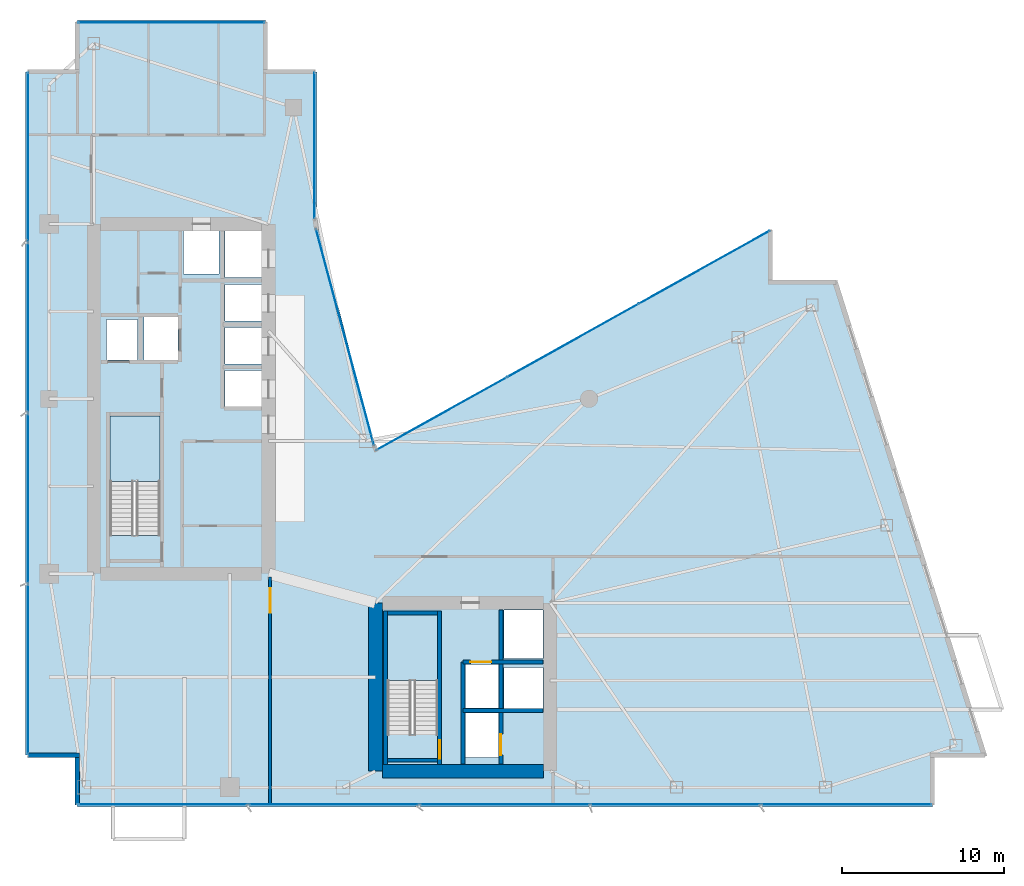
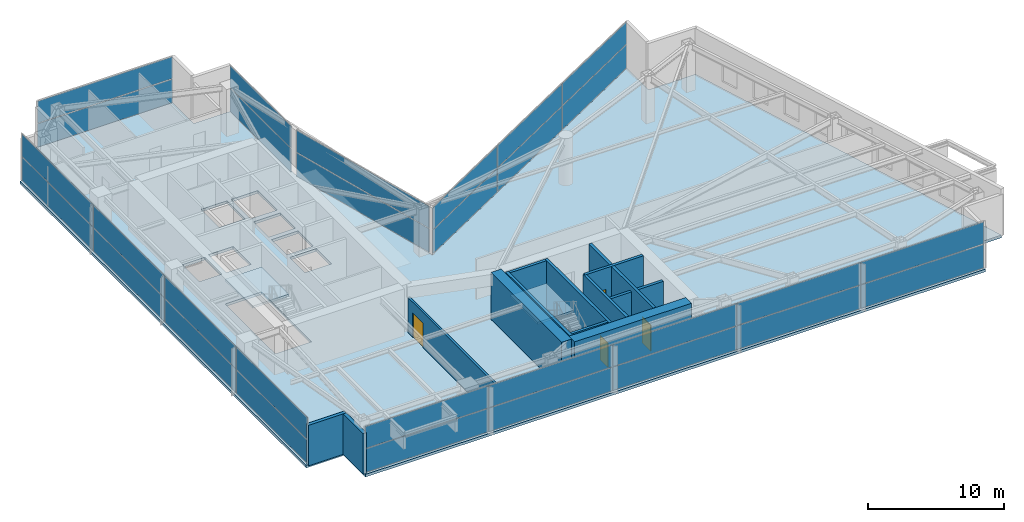
# One storey, part 20 of 26: 30 plates, 13 walls, 4 doors, 3 slabs, 4 openings, 8 elements without a shape of their own.
"""IFC4 building model written with IfcOpenShell, lengths in metres."""

from ifc_helpers import new_model, si_unit, direction, frame, frame_2d, origin, origin_2d, place, context, subcontext, project, spatial, polyline, rectangle, outline, extrude, material, layer, layer_set, type_object, element, fill, aggregate, save


model = new_model("IFC4")

# Units and contexts
model_context = context("Model", 3, precision=1e-05, world=origin(), true_north=direction((0.0, 1.0)))
body_context = subcontext(model_context, "Body", "Model", "MODEL_VIEW")
ifc_project = project(units=[si_unit("LENGTHUNIT", "METRE"), si_unit("AREAUNIT", "SQUARE_METRE"), si_unit("VOLUMEUNIT", "CUBIC_METRE"), si_unit("PLANEANGLEUNIT", "RADIAN"), si_unit("MASSUNIT", "GRAM", prefix="KILO")], contexts=[model_context])

# Site, building, storey
site_placement = place(None, origin())
site = spatial("IfcSite", under=ifc_project, at=site_placement, CompositionType="ELEMENT")
building_placement = place(site_placement, origin())
building = spatial("IfcBuilding", under=site, at=building_placement, Name="Calvorn Quay Hotel", CompositionType="ELEMENT")
storey_placement = place(building_placement, frame((0.0, 0.0, 144.0)))
storey = spatial("IfcBuildingStorey", under=building, at=storey_placement, Name="L35", CompositionType="ELEMENT", Elevation=144.0)

# Curtain wall, plates
ifc_material_1 = material(Name="Pale Anodised Aluminium and Low-E Glass", Category="aluminium")
ifc_layer_1 = layer(ifc_material_1, 0.219970703125)
ifc_layer_set_1 = layer_set([ifc_layer_1], Name="CW-SYS-Z2")
curtain_wall_type = type_object("IfcCurtainWallType", Name="CW-SYS-Z2", PredefinedType="NOTDEFINED", material=ifc_layer_set_1)
curtain_wall_1_placement = place(storey_placement, origin())
curtain_wall_1 = element("IfcCurtainWall", 1, at=curtain_wall_1_placement, inside=storey, type_object=curtain_wall_type, Name="Tower West Curtain Wall (L35)", PredefinedType="NOTDEFINED")
ifc_material_2 = material(Name="Low-E Laminated Double Glazing", Category="glass")
ifc_layer_2 = layer(ifc_material_2, 0.028076171875)
ifc_layer_set_2 = layer_set([ifc_layer_2], Name="CW-SYS-Z2-PAN")
plate_type = type_object("IfcPlateType", Name="CW-SYS-Z2-PAN", PredefinedType="CURTAIN_PANEL", material=ifc_layer_set_2)
plate_1_placement = place(storey_placement, frame((0.14990234375, 10.889892578125, 0.06005859375), z_axis=(0.0, 0.0, 1.0), x_axis=(0.0, 1.0, 0.0)))
plate_1 = element("IfcPlate", 2, at=plate_1_placement, type_object=plate_type, Name="CW-L35-W panel 1.1", PredefinedType="CURTAIN_PANEL", context=body_context, shape_type="SweptSolid", body=[
    extrude(rectangle(XDim=10.4599609375, YDim=0.028076171875, at=origin_2d()), origin(), (0.0, 0.0, 1.0), 2.110107421875),
])
plate_2_placement = place(storey_placement, frame((0.14990234375, 10.889892578125, 2.22998046875), z_axis=(0.0, 0.0, 1.0), x_axis=(0.0, 1.0, 0.0)))
plate_2 = element("IfcPlate", 3, at=plate_2_placement, type_object=plate_type, Name="CW-L35-W panel 1.2", PredefinedType="CURTAIN_PANEL", context=body_context, shape_type="SweptSolid", body=[
    extrude(rectangle(XDim=10.4599609375, YDim=0.028076171875, at=origin_2d()), origin(), (0.0, 0.0, 1.0), 1.969970703125),
])
plate_3_placement = place(storey_placement, frame((0.14990234375, 21.425048828125, 0.06005859375), z_axis=(0.0, 0.0, 1.0), x_axis=(0.0, 1.0, 0.0)))
plate_3 = element("IfcPlate", 4, at=plate_3_placement, type_object=plate_type, Name="CW-L35-W panel 2.1", PredefinedType="CURTAIN_PANEL", context=body_context, shape_type="SweptSolid", body=[
    extrude(rectangle(XDim=10.489990234375, YDim=0.028076171875, at=origin_2d()), origin(), (0.0, 0.0, 1.0), 2.110107421875),
])
plate_4_placement = place(storey_placement, frame((0.14990234375, 21.425048828125, 2.22998046875), z_axis=(0.0, 0.0, 1.0), x_axis=(0.0, 1.0, 0.0)))
plate_4 = element("IfcPlate", 5, at=plate_4_placement, type_object=plate_type, Name="CW-L35-W panel 2.2", PredefinedType="CURTAIN_PANEL", context=body_context, shape_type="SweptSolid", body=[
    extrude(rectangle(XDim=10.489990234375, YDim=0.028076171875, at=origin_2d()), origin(), (0.0, 0.0, 1.0), 1.969970703125),
])
plate_5_placement = place(storey_placement, frame((0.14990234375, 31.97509765625, 0.06005859375), z_axis=(0.0, 0.0, 1.0), x_axis=(0.0, 1.0, 0.0)))
plate_5 = element("IfcPlate", 6, at=plate_5_placement, type_object=plate_type, Name="CW-L35-W panel 3.1", PredefinedType="CURTAIN_PANEL", context=body_context, shape_type="SweptSolid", body=[
    extrude(rectangle(XDim=10.489990234375, YDim=0.028076171875, at=origin_2d()), origin(), (0.0, 0.0, 1.0), 2.110107421875),
])
plate_6_placement = place(storey_placement, frame((0.14990234375, 31.97509765625, 2.22998046875), z_axis=(0.0, 0.0, 1.0), x_axis=(0.0, 1.0, 0.0)))
plate_6 = element("IfcPlate", 7, at=plate_6_placement, type_object=plate_type, Name="CW-L35-W panel 3.2", PredefinedType="CURTAIN_PANEL", context=body_context, shape_type="SweptSolid", body=[
    extrude(rectangle(XDim=10.489990234375, YDim=0.028076171875, at=origin_2d()), origin(), (0.0, 0.0, 1.0), 1.969970703125),
])
plate_7_placement = place(storey_placement, frame((0.14990234375, 42.510009765625, 0.06005859375), z_axis=(0.0, 0.0, 1.0), x_axis=(0.0, 1.0, 0.0)))
plate_7 = element("IfcPlate", 8, at=plate_7_placement, type_object=plate_type, Name="CW-L35-W panel 4.1", PredefinedType="CURTAIN_PANEL", context=body_context, shape_type="SweptSolid", body=[
    extrude(rectangle(XDim=10.4599609375, YDim=0.028076171875, at=origin_2d()), origin(), (0.0, 0.0, 1.0), 2.110107421875),
])
plate_8_placement = place(storey_placement, frame((0.14990234375, 42.510009765625, 2.22998046875), z_axis=(0.0, 0.0, 1.0), x_axis=(0.0, 1.0, 0.0)))
plate_8 = element("IfcPlate", 9, at=plate_8_placement, type_object=plate_type, Name="CW-L35-W panel 4.2", PredefinedType="CURTAIN_PANEL", context=body_context, shape_type="SweptSolid", body=[
    extrude(rectangle(XDim=10.4599609375, YDim=0.028076171875, at=origin_2d()), origin(), (0.0, 0.0, 1.0), 1.969970703125),
])
aggregate(curtain_wall_1, [plate_1, plate_2, plate_3, plate_4, plate_5, plate_6, plate_7, plate_8])

curtain_wall_2_placement = place(storey_placement, origin())
curtain_wall_2 = element("IfcCurtainWall", 10, at=curtain_wall_2_placement, inside=storey, type_object=curtain_wall_type, Name="Tower South Waterfront Curtain Wall (L35)", PredefinedType="NOTDEFINED")
plate_9_placement = place(storey_placement, frame((8.4951171875, 2.550048828125, 0.06005859375), z_axis=(0.0, 0.0, 1.0), x_axis=(1.0, 0.0, 0.0)))
plate_9 = element("IfcPlate", 11, at=plate_9_placement, type_object=plate_type, Name="CW-L35-S panel 1.1", PredefinedType="CURTAIN_PANEL", context=body_context, shape_type="SweptSolid", body=[
    extrude(rectangle(XDim=10.469970703125, YDim=0.028076171875, at=origin_2d()), origin(), (0.0, 0.0, 1.0), 2.110107421875),
])
plate_10_placement = place(storey_placement, frame((8.4951171875, 2.550048828125, 2.22998046875), z_axis=(0.0, 0.0, 1.0), x_axis=(1.0, 0.0, 0.0)))
plate_10 = element("IfcPlate", 12, at=plate_10_placement, type_object=plate_type, Name="CW-L35-S panel 1.2", PredefinedType="CURTAIN_PANEL", context=body_context, shape_type="SweptSolid", body=[
    extrude(rectangle(XDim=10.469970703125, YDim=0.028076171875, at=origin_2d()), origin(), (0.0, 0.0, 1.0), 1.969970703125),
])
plate_11_placement = place(storey_placement, frame((19.0400390625, 2.550048828125, 0.06005859375), z_axis=(0.0, 0.0, 1.0), x_axis=(1.0, 0.0, 0.0)))
plate_11 = element("IfcPlate", 13, at=plate_11_placement, type_object=plate_type, Name="CW-L35-S panel 2.1", PredefinedType="CURTAIN_PANEL", context=body_context, shape_type="SweptSolid", body=[
    extrude(rectangle(XDim=10.5, YDim=0.028076171875, at=origin_2d()), origin(), (0.0, 0.0, 1.0), 2.110107421875),
])
plate_12_placement = place(storey_placement, frame((19.0400390625, 2.550048828125, 2.22998046875), z_axis=(0.0, 0.0, 1.0), x_axis=(1.0, 0.0, 0.0)))
plate_12 = element("IfcPlate", 14, at=plate_12_placement, type_object=plate_type, Name="CW-L35-S panel 2.2", PredefinedType="CURTAIN_PANEL", context=body_context, shape_type="SweptSolid", body=[
    extrude(rectangle(XDim=10.5, YDim=0.028076171875, at=origin_2d()), origin(), (0.0, 0.0, 1.0), 1.969970703125),
])
plate_13_placement = place(storey_placement, frame((29.60009765625, 2.550048828125, 0.06005859375), z_axis=(0.0, 0.0, 1.0), x_axis=(1.0, 0.0, 0.0)))
plate_13 = element("IfcPlate", 15, at=plate_13_placement, type_object=plate_type, Name="CW-L35-S panel 3.1", PredefinedType="CURTAIN_PANEL", context=body_context, shape_type="SweptSolid", body=[
    extrude(rectangle(XDim=10.5, YDim=0.028076171875, at=origin_2d()), origin(), (0.0, 0.0, 1.0), 2.110107421875),
])
plate_14_placement = place(storey_placement, frame((29.60009765625, 2.550048828125, 2.22998046875), z_axis=(0.0, 0.0, 1.0), x_axis=(1.0, 0.0, 0.0)))
plate_14 = element("IfcPlate", 16, at=plate_14_placement, type_object=plate_type, Name="CW-L35-S panel 3.2", PredefinedType="CURTAIN_PANEL", context=body_context, shape_type="SweptSolid", body=[
    extrude(rectangle(XDim=10.5, YDim=0.028076171875, at=origin_2d()), origin(), (0.0, 0.0, 1.0), 1.969970703125),
])
plate_15_placement = place(storey_placement, frame((40.159912109375, 2.550048828125, 0.06005859375), z_axis=(0.0, 0.0, 1.0), x_axis=(1.0, 0.0, 0.0)))
plate_15 = element("IfcPlate", 17, at=plate_15_placement, type_object=plate_type, Name="CW-L35-S panel 4.1", PredefinedType="CURTAIN_PANEL", context=body_context, shape_type="SweptSolid", body=[
    extrude(rectangle(XDim=10.5, YDim=0.028076171875, at=origin_2d()), origin(), (0.0, 0.0, 1.0), 2.110107421875),
])
plate_16_placement = place(storey_placement, frame((40.159912109375, 2.550048828125, 2.22998046875), z_axis=(0.0, 0.0, 1.0), x_axis=(1.0, 0.0, 0.0)))
plate_16 = element("IfcPlate", 18, at=plate_16_placement, type_object=plate_type, Name="CW-L35-S panel 4.2", PredefinedType="CURTAIN_PANEL", context=body_context, shape_type="SweptSolid", body=[
    extrude(rectangle(XDim=10.5, YDim=0.028076171875, at=origin_2d()), origin(), (0.0, 0.0, 1.0), 1.969970703125),
])
plate_17_placement = place(storey_placement, frame((50.705078125, 2.550048828125, 0.06005859375), z_axis=(0.0, 0.0, 1.0), x_axis=(1.0, 0.0, 0.0)))
plate_17 = element("IfcPlate", 19, at=plate_17_placement, type_object=plate_type, Name="CW-L35-S panel 5.1", PredefinedType="CURTAIN_PANEL", context=body_context, shape_type="SweptSolid", body=[
    extrude(rectangle(XDim=10.469970703125, YDim=0.028076171875, at=origin_2d()), origin(), (0.0, 0.0, 1.0), 2.110107421875),
])
plate_18_placement = place(storey_placement, frame((50.705078125, 2.550048828125, 2.22998046875), z_axis=(0.0, 0.0, 1.0), x_axis=(1.0, 0.0, 0.0)))
plate_18 = element("IfcPlate", 20, at=plate_18_placement, type_object=plate_type, Name="CW-L35-S panel 5.2", PredefinedType="CURTAIN_PANEL", context=body_context, shape_type="SweptSolid", body=[
    extrude(rectangle(XDim=10.469970703125, YDim=0.028076171875, at=origin_2d()), origin(), (0.0, 0.0, 1.0), 1.969970703125),
])
aggregate(curtain_wall_2, [plate_9, plate_10, plate_11, plate_12, plate_13, plate_14, plate_15, plate_16, plate_17, plate_18])

curtain_wall_3_placement = place(storey_placement, origin())
curtain_wall_3 = element("IfcCurtainWall", 21, at=curtain_wall_3_placement, inside=storey, type_object=curtain_wall_type, Name="Inner Court Curtain Wall L35-NE1", PredefinedType="NOTDEFINED")
plate_19_placement = place(storey_placement, frame((41.920166015625, 35.72607421875, 0.06005859375), z_axis=(0.0, 0.0, 1.0), x_axis=(-0.873480989116, -0.486858256224, 0.0)))
plate_19 = element("IfcPlate", 22, at=plate_19_placement, type_object=plate_type, Name="CW-L35-NE1 panel 1.1", PredefinedType="CURTAIN_PANEL", context=body_context, shape_type="SweptSolid", body=[
    extrude(rectangle(XDim=9.221435546875, YDim=0.028076171875, at=origin_2d()), origin(), (0.0, 0.0, 1.0), 2.110107421875),
])
plate_20_placement = place(storey_placement, frame((41.920166015625, 35.72607421875, 2.22998046875), z_axis=(0.0, 0.0, 1.0), x_axis=(-0.873480989116, -0.486858256224, 0.0)))
plate_20 = element("IfcPlate", 23, at=plate_20_placement, type_object=plate_type, Name="CW-L35-NE1 panel 1.2", PredefinedType="CURTAIN_PANEL", context=body_context, shape_type="SweptSolid", body=[
    extrude(rectangle(XDim=9.221435546875, YDim=0.028076171875, at=origin_2d()), origin(), (0.0, 0.0, 1.0), 1.969970703125),
])
plate_21_placement = place(storey_placement, frame((33.800048828125, 31.199951171875, 0.06005859375), z_axis=(0.0, 0.0, 1.0), x_axis=(-0.873480989116, -0.486858256224, 0.0)))
plate_21 = element("IfcPlate", 24, at=plate_21_placement, type_object=plate_type, Name="CW-L35-NE1 panel 2.1", PredefinedType="CURTAIN_PANEL", context=body_context, shape_type="SweptSolid", body=[
    extrude(rectangle(XDim=9.25146484375, YDim=0.028076171875, at=origin_2d()), origin(), (0.0, 0.0, 1.0), 2.110107421875),
])
plate_22_placement = place(storey_placement, frame((33.800048828125, 31.199951171875, 2.22998046875), z_axis=(0.0, 0.0, 1.0), x_axis=(-0.873480989116, -0.486858256224, 0.0)))
plate_22 = element("IfcPlate", 25, at=plate_22_placement, type_object=plate_type, Name="CW-L35-NE1 panel 2.2", PredefinedType="CURTAIN_PANEL", context=body_context, shape_type="SweptSolid", body=[
    extrude(rectangle(XDim=9.25146484375, YDim=0.028076171875, at=origin_2d()), origin(), (0.0, 0.0, 1.0), 1.969970703125),
])
plate_23_placement = place(storey_placement, frame((25.6796875, 26.674072265625, 0.06005859375), z_axis=(0.0, 0.0, 1.0), x_axis=(-0.873480989116, -0.486858256224, 0.0)))
plate_23 = element("IfcPlate", 26, at=plate_23_placement, type_object=plate_type, Name="CW-L35-NE1 panel 3.1", PredefinedType="CURTAIN_PANEL", context=body_context, shape_type="SweptSolid", body=[
    extrude(rectangle(XDim=9.221435546875, YDim=0.028076171875, at=origin_2d()), origin(), (0.0, 0.0, 1.0), 2.110107421875),
])
plate_24_placement = place(storey_placement, frame((25.6796875, 26.674072265625, 2.22998046875), z_axis=(0.0, 0.0, 1.0), x_axis=(-0.873480989116, -0.486858256224, 0.0)))
plate_24 = element("IfcPlate", 27, at=plate_24_placement, type_object=plate_type, Name="CW-L35-NE1 panel 3.2", PredefinedType="CURTAIN_PANEL", context=body_context, shape_type="SweptSolid", body=[
    extrude(rectangle(XDim=9.221435546875, YDim=0.028076171875, at=origin_2d()), origin(), (0.0, 0.0, 1.0), 1.969970703125),
])
aggregate(curtain_wall_3, [plate_19, plate_20, plate_21, plate_22, plate_23, plate_24])

curtain_wall_4_placement = place(storey_placement, origin())
curtain_wall_4 = element("IfcCurtainWall", 28, at=curtain_wall_4_placement, inside=storey, type_object=curtain_wall_type, Name="Inner Court Curtain Wall L35-IC1", PredefinedType="NOTDEFINED")
plate_25_placement = place(storey_placement, frame((19.72509765625, 31.39990234375, 0.06005859375), z_axis=(0.0, 0.0, 1.0), x_axis=(-0.25877913024, 0.96593652056, 0.0)))
plate_25 = element("IfcPlate", 29, at=plate_25_placement, type_object=plate_type, Name="CW-L35-IC1 panel 1.1", PredefinedType="CURTAIN_PANEL", context=body_context, shape_type="SweptSolid", body=[
    extrude(rectangle(XDim=13.814697265625, YDim=0.028076171875, at=origin_2d()), origin(), (0.0, 0.0, 1.0), 2.110107421875),
])
plate_26_placement = place(storey_placement, frame((19.72509765625, 31.39990234375, 2.22998046875), z_axis=(0.0, 0.0, 1.0), x_axis=(-0.25877913024, 0.96593652056, 0.0)))
plate_26 = element("IfcPlate", 30, at=plate_26_placement, type_object=plate_type, Name="CW-L35-IC1 panel 1.2", PredefinedType="CURTAIN_PANEL", context=body_context, shape_type="SweptSolid", body=[
    extrude(rectangle(XDim=13.814697265625, YDim=0.028076171875, at=origin_2d()), origin(), (0.0, 0.0, 1.0), 1.969970703125),
])
aggregate(curtain_wall_4, [plate_25, plate_26])

curtain_wall_5_placement = place(storey_placement, origin())
curtain_wall_5 = element("IfcCurtainWall", 31, at=curtain_wall_5_placement, inside=storey, type_object=curtain_wall_type, Name="Inner Court Curtain Wall L35-IC2", PredefinedType="NOTDEFINED")
plate_27_placement = place(storey_placement, frame((17.85009765625, 43.239990234375, 0.06005859375), z_axis=(0.0, 0.0, 1.0), x_axis=(0.0, 1.0, 0.0)))
plate_27 = element("IfcPlate", 32, at=plate_27_placement, type_object=plate_type, Name="CW-L35-IC2 panel 1.1", PredefinedType="CURTAIN_PANEL", context=body_context, shape_type="SweptSolid", body=[
    extrude(rectangle(XDim=9.0, YDim=0.028076171875, at=origin_2d()), origin(), (0.0, 0.0, 1.0), 2.110107421875),
])
plate_28_placement = place(storey_placement, frame((17.85009765625, 43.239990234375, 2.22998046875), z_axis=(0.0, 0.0, 1.0), x_axis=(0.0, 1.0, 0.0)))
plate_28 = element("IfcPlate", 33, at=plate_28_placement, type_object=plate_type, Name="CW-L35-IC2 panel 1.2", PredefinedType="CURTAIN_PANEL", context=body_context, shape_type="SweptSolid", body=[
    extrude(rectangle(XDim=9.0, YDim=0.028076171875, at=origin_2d()), origin(), (0.0, 0.0, 1.0), 1.969970703125),
])
aggregate(curtain_wall_5, [plate_27, plate_28])

curtain_wall_6_placement = place(storey_placement, origin())
curtain_wall_6 = element("IfcCurtainWall", 34, at=curtain_wall_6_placement, inside=storey, type_object=curtain_wall_type, Name="Inner Court Curtain Wall L35-N1", PredefinedType="NOTDEFINED")
plate_29_placement = place(storey_placement, frame((9.0, 50.85009765625, 0.06005859375), z_axis=(0.0, 0.0, 1.0), x_axis=(-1.0, 0.0, 0.0)))
plate_29 = element("IfcPlate", 35, at=plate_29_placement, type_object=plate_type, Name="CW-L35-N1 panel 1.1", PredefinedType="CURTAIN_PANEL", context=body_context, shape_type="SweptSolid", body=[
    extrude(rectangle(XDim=11.47998046875, YDim=0.028076171875, at=origin_2d()), origin(), (0.0, 0.0, 1.0), 2.110107421875),
])
plate_30_placement = place(storey_placement, frame((9.0, 50.85009765625, 2.22998046875), z_axis=(0.0, 0.0, 1.0), x_axis=(-1.0, 0.0, 0.0)))
plate_30 = element("IfcPlate", 36, at=plate_30_placement, type_object=plate_type, Name="CW-L35-N1 panel 1.2", PredefinedType="CURTAIN_PANEL", context=body_context, shape_type="SweptSolid", body=[
    extrude(rectangle(XDim=11.47998046875, YDim=0.028076171875, at=origin_2d()), origin(), (0.0, 0.0, 1.0), 1.969970703125),
])
aggregate(curtain_wall_6, [plate_29, plate_30])

# Stair, slab
ifc_material_3 = material(Name="Concrete C40", Category="concrete")
stair_type = type_object("IfcStairType", Name="STR-CORE-DOGLEG", PredefinedType="HALF_TURN_STAIR", material=ifc_material_3)
stair_1_placement = place(storey_placement, origin())
stair_1 = element("IfcStair", 37, at=stair_1_placement, inside=storey, type_object=stair_type, Name="L35 ST-W", PredefinedType="HALF_TURN_STAIR")
ifc_material_4 = material(Name="Concrete C40", Category="concrete")
ifc_layer_3 = layer(ifc_material_4, 0.199951171875)
ifc_layer_set_3 = layer_set([ifc_layer_3], Name="SLB-STAIR-LANDING-200")
slab_type_1 = type_object("IfcSlabType", Name="SLB-STAIR-LANDING-200", PredefinedType="LANDING", material=ifc_layer_set_3)
slab_1_placement = place(storey_placement, frame((0.0, 0.0, 2.050048828125)))
slab_1 = element("IfcSlab", 38, at=slab_1_placement, type_object=slab_type_1, Name="ST-W landing 1", PredefinedType="LANDING", context=body_context, shape_type="SweptSolid", body=[
    extrude(outline(polyline([(8.300048828125, 22.510009765625), (8.300048828125, 26.550048828125), (5.199951171875, 26.550048828125), (5.199951171875, 22.510009765625), (8.300048828125, 22.510009765625)])), origin(), (0.0, 0.0, 1.0), 0.199951171875),
])
aggregate(stair_1, [slab_1])

stair_2_placement = place(storey_placement, origin())
stair_2 = element("IfcStair", 39, at=stair_2_placement, inside=storey, type_object=stair_type, Name="L35 ST-E", PredefinedType="HALF_TURN_STAIR")
slab_2_placement = place(storey_placement, frame((0.0, 0.0, 2.050048828125)))
slab_2 = element("IfcSlab", 40, at=slab_2_placement, type_object=slab_type_1, Name="ST-E landing 1", PredefinedType="LANDING", context=body_context, shape_type="SweptSolid", body=[
    extrude(outline(polyline([(25.449951171875, 10.2099609375), (25.449951171875, 14.25), (22.35009765625, 14.25), (22.35009765625, 10.2099609375), (25.449951171875, 10.2099609375)])), origin(), (0.0, 0.0, 1.0), 0.199951171875),
])
aggregate(stair_2, [slab_2])

# Slab
ifc_material_5 = material(Name="Concrete C40", Category="concrete")
ifc_layer_4 = layer(ifc_material_5, 0.239990234375)
ifc_layer_set_4 = layer_set([ifc_layer_4], Name="SLB-TOWER-240")
slab_type_2 = type_object("IfcSlabType", Name="SLB-TOWER-240", PredefinedType="FLOOR", material=ifc_layer_set_4)
slab_3_placement = place(storey_placement, frame((0.0, 0.0, -0.239990234375)))
element("IfcSlab", 41, at=slab_3_placement, inside=storey, type_object=slab_type_2, Name="L35 Structural Floor Slab", PredefinedType="FLOOR", context=body_context, shape_type="SweptSolid", body=[
    extrude(outline(polyline([(0.0, 5.60009765625), (3.199951171875, 5.60009765625), (3.199951171875, 2.39990234375), (56.0, 2.39990234375), (56.0, 5.60009765625), (59.199951171875, 5.60009765625), (50.0, 34.800048828125), (46.0, 34.800048828125), (46.0, 38.0), (21.60009765625, 24.39990234375), (18.0, 38.39990234375), (18.0, 47.800048828125), (14.800048828125, 47.800048828125), (14.800048828125, 51.0), (3.199951171875, 51.0), (3.199951171875, 47.800048828125), (0.0, 47.800048828125), (0.0, 5.60009765625)]), holes=[polyline([(5.199951171875, 19.156005859375), (8.300048828125, 19.156005859375), (8.300048828125, 26.550048828125), (5.199951171875, 26.550048828125), (5.199951171875, 19.156005859375)]), polyline([(22.35009765625, 6.85595703125), (25.449951171875, 6.85595703125), (25.449951171875, 14.25), (22.35009765625, 14.25), (22.35009765625, 6.85595703125)]), polyline([(5.0, 30.0), (6.89990234375, 30.0), (6.89990234375, 32.5), (5.0, 32.5), (5.0, 30.0)]), polyline([(7.300048828125, 30.0), (9.39990234375, 30.0), (9.39990234375, 32.64990234375), (7.300048828125, 32.64990234375), (7.300048828125, 30.0)]), polyline([(27.159912109375, 8.5), (29.2099609375, 8.5), (29.2099609375, 11.199951171875), (27.159912109375, 11.199951171875), (27.159912109375, 8.5)]), polyline([(27.159912109375, 5.449951171875), (29.2099609375, 5.449951171875), (29.2099609375, 8.199951171875), (27.159912109375, 8.199951171875), (27.159912109375, 5.449951171875)]), polyline([(12.300048828125, 27.10009765625), (14.56494140625, 27.10009765625), (14.56494140625, 29.35009765625), (12.300048828125, 29.35009765625), (12.300048828125, 27.10009765625)]), polyline([(12.300048828125, 29.75), (14.56494140625, 29.75), (14.56494140625, 32.0), (12.300048828125, 32.0), (12.300048828125, 29.75)]), polyline([(12.300048828125, 32.39990234375), (14.56494140625, 32.39990234375), (14.56494140625, 34.64990234375), (12.300048828125, 34.64990234375), (12.300048828125, 32.39990234375)]), polyline([(12.300048828125, 35.10009765625), (14.56494140625, 35.10009765625), (14.56494140625, 37.965087890625), (12.300048828125, 37.965087890625), (12.300048828125, 35.10009765625)]), polyline([(9.75, 35.300048828125), (11.949951171875, 35.300048828125), (11.949951171875, 37.965087890625), (9.75, 37.965087890625), (9.75, 35.300048828125)]), polyline([(29.550048828125, 11.550048828125), (31.965087890625, 11.550048828125), (31.965087890625, 14.56494140625), (29.550048828125, 14.56494140625), (29.550048828125, 11.550048828125)]), polyline([(29.550048828125, 8.449951171875), (31.965087890625, 8.449951171875), (31.965087890625, 11.0), (29.550048828125, 11.0), (29.550048828125, 8.449951171875)])]), origin(), (0.0, 0.0, 1.0), 0.239990234375),
])

# Walls
ifc_material_6 = material(Name="Concrete C50", Category="concrete")
ifc_layer_5 = layer(ifc_material_6, 0.85009765625)
ifc_layer_set_5 = layer_set([ifc_layer_5], Name="WL-CORE-850")
wall_type_1 = type_object("IfcWallType", Name="WL-CORE-850", PredefinedType="SHEAR", material=ifc_layer_set_5)
wall_1_placement = place(storey_placement, frame((21.60009765625, 4.60009765625, 0.0), z_axis=(0.0, 0.0, 1.0), x_axis=(0.0, 1.0, 0.0)))
element("IfcWall", 42, at=wall_1_placement, inside=storey, type_object=wall_type_1, Name="East Core Shear Wall W (L35)", PredefinedType="SHEAR", context=body_context, shape_type="SweptSolid", body=[
    extrude(rectangle(XDim=10.39990234375, YDim=0.85009765625, at=frame_2d((5.199951171875, 0.0))), origin(), (0.0, 0.0, 1.0), 4.260009765625),
])
wall_2_placement = place(storey_placement, frame((22.02490234375, 4.60009765625, 0.0), z_axis=(0.0, 0.0, 1.0), x_axis=(1.0, 0.0, 0.0)))
element("IfcWall", 43, at=wall_2_placement, inside=storey, type_object=wall_type_1, Name="East Core Shear Wall S (L35)", PredefinedType="SHEAR", context=body_context, shape_type="SweptSolid", body=[
    extrude(rectangle(XDim=9.9501953125, YDim=0.85009765625, at=frame_2d((4.97509765625, 0.0))), origin(), (0.0, 0.0, 1.0), 4.260009765625),
])

# Wall, opening, door
ifc_material_7 = material(Name="Acoustic Fireboard Steel-Stud Partition", Category="steel")
ifc_layer_6 = layer(ifc_material_7, 0.179931640625)
ifc_layer_set_6 = layer_set([ifc_layer_6], Name="WL-CORR-FIRE-180")
wall_type_2 = type_object("IfcWallType", Name="WL-CORR-FIRE-180", PredefinedType="PARTITIONING", material=ifc_layer_set_6)
wall_3_placement = place(storey_placement, frame((15.10009765625, 2.60009765625, 0.0), z_axis=(0.0, 0.0, 1.0), x_axis=(0.0, 1.0, 0.0)))
wall_3 = element("IfcWall", 44, at=wall_3_placement, inside=storey, type_object=wall_type_2, Name="Partition Wall L35-WL-SK-SW-E", PredefinedType="PARTITIONING", context=body_context, shape_type="SweptSolid", body=[
    extrude(rectangle(XDim=14.0, YDim=0.179931640625, at=frame_2d((7.0, 0.0))), origin(), (0.0, 0.0, 1.0), 3.18994140625),
])
opening_1_placement = place(wall_3_placement, frame((11.800048828125, 0.0, 0.0)))
opening_1 = element("IfcOpeningElement", 45, at=opening_1_placement, cuts=wall_3, Name="Opening D-L35-A1", PredefinedType="OPENING", context=body_context, shape_type="SweptSolid", body=[
    extrude(rectangle(XDim=1.5, YDim=2.219970703125, at=frame_2d((0.75, 1.10986328125))), frame((0.0, 0.099853515625, 0.0), z_axis=(0.0, -1.0, 0.0), x_axis=(1.0, 0.0, 0.0)), (0.0, 0.0, 1.0), 0.199951171875),
])
ifc_material_8 = material(Name="Solid-Core Walnut Double Suite Entry Door")
door_type_1 = type_object("IfcDoorType", Name="DR-SUITE-DBL-1500", OperationType="NOTDEFINED", PredefinedType="DOOR", material=ifc_material_8)
door_1_placement = place(opening_1_placement, origin())
door_1 = element("IfcDoor", 46, at=door_1_placement, inside=storey, type_object=door_type_1, Name="West Salon Door", OperationType="SINGLE_SWING_LEFT", OverallHeight=2.219970703125, OverallWidth=1.5, PredefinedType="DOOR", context=body_context, shape_type="SweptSolid", body=[
    extrude(rectangle(XDim=1.5, YDim=2.219970703125, at=frame_2d((0.75, 1.10986328125))), frame((0.0, 0.02490234375, 0.0), z_axis=(0.0, -1.0, 0.0), x_axis=(1.0, 0.0, 0.0)), (0.0, 0.0, 1.0), 0.050048828125),
])
fill(opening_1, door_1)

# Walls
ifc_material_9 = material(Name="Concrete C40", Category="concrete")
ifc_layer_7 = layer(ifc_material_9, 0.320068359375)
ifc_layer_set_7 = layer_set([ifc_layer_7], Name="WL-EXT-SPANDREL-320")
wall_type_3 = type_object("IfcWallType", Name="WL-EXT-SPANDREL-320", PredefinedType="SOLIDWALL", material=ifc_layer_set_7)
wall_4_placement = place(storey_placement, frame((0.1201171875, 5.60009765625, 0.0), z_axis=(0.0, 0.0, 1.0), x_axis=(1.0, 0.0, 0.0)))
element("IfcWall", 47, at=wall_4_placement, inside=storey, type_object=wall_type_3, Name="Notched Corner Spandrel L35-SW1", PredefinedType="SOLIDWALL", context=body_context, shape_type="SweptSolid", body=[
    extrude(rectangle(XDim=3.219970703125, YDim=0.280029296875, at=frame_2d((1.60986328125, 0.0))), origin(), (0.0, 0.0, 1.0), 3.639892578125),
])
wall_5_placement = place(storey_placement, frame((3.199951171875, 5.4599609375, 0.0), z_axis=(0.0, 0.0, 1.0), x_axis=(0.0, -1.0, 0.0)))
element("IfcWall", 48, at=wall_5_placement, inside=storey, type_object=wall_type_3, Name="Notched Corner Spandrel L35-SW2", PredefinedType="SOLIDWALL", context=body_context, shape_type="SweptSolid", body=[
    extrude(rectangle(XDim=2.93994140625, YDim=0.280029296875, at=frame_2d((1.469970703125, 0.0))), origin(), (0.0, 0.0, 1.0), 3.639892578125),
])
ifc_material_10 = material(Name="Concrete C40", Category="concrete")
ifc_layer_8 = layer(ifc_material_10, 0.239990234375)
ifc_layer_set_8 = layer_set([ifc_layer_8], Name="WL-SHAFT-240")
wall_type_4 = type_object("IfcWallType", Name="WL-SHAFT-240", PredefinedType="SOLIDWALL", material=ifc_layer_set_8)
wall_6_placement = place(storey_placement, frame((22.22998046875, 5.02490234375, 0.0), z_axis=(0.0, 0.0, 1.0), x_axis=(0.0, 1.0, 0.0)))
element("IfcWall", 49, at=wall_6_placement, inside=storey, type_object=wall_type_4, Name="Stair STE Shaft Wall W (L35)", PredefinedType="SOLIDWALL", context=body_context, shape_type="SweptSolid", body=[
    extrude(rectangle(XDim=9.465087890625, YDim=0.239990234375, at=frame_2d((4.732421875, 0.0))), origin(), (0.0, 0.0, 1.0), 4.260009765625),
])

# Wall, opening, door
wall_7_placement = place(storey_placement, frame((25.570068359375, 5.02490234375, 0.0), z_axis=(0.0, 0.0, 1.0), x_axis=(0.0, 1.0, 0.0)))
wall_7 = element("IfcWall", 50, at=wall_7_placement, inside=storey, type_object=wall_type_4, Name="Stair STE Shaft Wall E (L35)", PredefinedType="SOLIDWALL", context=body_context, shape_type="SweptSolid", body=[
    extrude(rectangle(XDim=9.465087890625, YDim=0.239990234375, at=frame_2d((4.732421875, 0.0))), origin(), (0.0, 0.0, 1.0), 4.260009765625),
])
opening_2_placement = place(wall_7_placement, frame((0.35009765625, 0.0, 0.0)))
opening_2 = element("IfcOpeningElement", 51, at=opening_2_placement, cuts=wall_7, Name="Opening D-L35-STE", PredefinedType="OPENING", context=body_context, shape_type="SweptSolid", body=[
    extrude(rectangle(XDim=1.14990234375, YDim=2.199951171875, at=frame_2d((0.574951171875, 1.10009765625))), frame((0.0, 0.1298828125, 0.0), z_axis=(0.0, -1.0, 0.0), x_axis=(1.0, 0.0, 0.0)), (0.0, 0.0, 1.0), 0.260009765625),
])
ifc_material_11 = material(Name="Galvanised Steel Class A Fire Door", Category="steel")
door_type_2 = type_object("IfcDoorType", Name="DR-STAIR-SMOKE-1150", OperationType="NOTDEFINED", PredefinedType="DOOR", material=ifc_material_11)
door_2_placement = place(opening_2_placement, origin())
door_2 = element("IfcDoor", 52, at=door_2_placement, inside=storey, type_object=door_type_2, Name="Stair ST-E Fire Door (L35)", OperationType="SINGLE_SWING_RIGHT", OverallHeight=2.199951171875, OverallWidth=1.14990234375, PredefinedType="DOOR", context=body_context, shape_type="SweptSolid", body=[
    extrude(rectangle(XDim=1.14990234375, YDim=2.199951171875, at=frame_2d((0.574951171875, 1.10009765625))), frame((0.0, 0.02490234375, 0.0), z_axis=(0.0, -1.0, 0.0), x_axis=(1.0, 0.0, 0.0)), (0.0, 0.0, 1.0), 0.050048828125),
])
fill(opening_2, door_2)

# Walls
for number, where, z_axis, x_axis, name in (
    (53, (22.35009765625, 5.280029296875, 0.0), (0.0, 0.0, 1.0), (1.0, 0.0, 0.0), "Stair STE Shaft Wall S (L35)"),
    (54, (22.35009765625, 14.3701171875, 0.0), (0.0, 0.0, 1.0), (1.0, 0.0, 0.0), "Stair STE Shaft Wall N (L35)"),
):
    element("IfcWall", number, at=place(storey_placement, frame(where, z_axis=z_axis, x_axis=x_axis)), inside=storey, type_object=wall_type_4, Name=name, PredefinedType="SOLIDWALL", context=body_context, shape_type="SweptSolid", body=[
        extrude(rectangle(XDim=3.099853515625, YDim=0.239990234375, at=frame_2d((1.5498046875, 0.0))), origin(), (0.0, 0.0, 1.0), 4.260009765625),
    ])
wall_8_placement = place(storey_placement, frame((27.02001953125, 5.044921875, 0.0), z_axis=(0.0, 0.0, 1.0), x_axis=(0.0, 1.0, 0.0)))
element("IfcWall", 55, at=wall_8_placement, inside=storey, type_object=wall_type_4, Name="Partition Wall L35-WL-CWE-SH-W", PredefinedType="SOLIDWALL", context=body_context, shape_type="SweptSolid", body=[
    extrude(rectangle(XDim=6.30517578125, YDim=0.239990234375, at=frame_2d((3.152587890625, 0.0))), origin(), (0.0, 0.0, 1.0), 4.260009765625),
])

# Wall, opening, door
wall_9_placement = place(storey_placement, frame((27.02001953125, 11.35009765625, 0.0), z_axis=(0.0, 0.0, 1.0), x_axis=(1.0, 0.0, 0.0)))
wall_9 = element("IfcWall", 56, at=wall_9_placement, inside=storey, type_object=wall_type_4, Name="Partition Wall L35-WL-CWE-FFL-S", PredefinedType="SOLIDWALL", context=body_context, shape_type="SweptSolid", body=[
    extrude(rectangle(XDim=4.93505859375, YDim=0.239990234375, at=frame_2d((2.467529296875, 0.0))), origin(), (0.0, 0.0, 1.0), 4.260009765625),
])
opening_3_placement = place(wall_9_placement, frame((0.449951171875, 0.0, 0.0)))
opening_3 = element("IfcOpeningElement", 57, at=opening_3_placement, cuts=wall_9, Name="Opening LD-L35-FLE1", PredefinedType="OPENING", context=body_context, shape_type="SweptSolid", body=[
    extrude(rectangle(XDim=1.300048828125, YDim=2.35009765625, at=frame_2d((0.64990234375, 1.175048828125))), frame((0.0, 0.1298828125, 0.0), z_axis=(0.0, -1.0, 0.0), x_axis=(1.0, 0.0, 0.0)), (0.0, 0.0, 1.0), 0.260009765625),
])
ifc_material_12 = material(Name="Champagne-Bronze Sliding Express Lift Landing Door")
door_type_3 = type_object("IfcDoorType", Name="DR-LIFT-SHUTTLE-1300", OperationType="NOTDEFINED", PredefinedType="DOOR", material=ifc_material_12)
door_3_placement = place(opening_3_placement, origin())
door_3 = element("IfcDoor", 58, at=door_3_placement, inside=storey, type_object=door_type_3, Name="Firefighting Lift FL-E1 Landing Door (L35)", OperationType="DOUBLE_DOOR_SLIDING", OverallHeight=2.35009765625, OverallWidth=1.300048828125, PredefinedType="DOOR", context=body_context, shape_type="SweptSolid", body=[
    extrude(rectangle(XDim=1.300048828125, YDim=2.35009765625, at=frame_2d((0.64990234375, 1.175048828125))), frame((0.0, 0.02490234375, 0.0), z_axis=(0.0, -1.0, 0.0), x_axis=(1.0, 0.0, 0.0)), (0.0, 0.0, 1.0), 0.050048828125),
])
fill(opening_3, door_3)

# Wall
wall_10_placement = place(storey_placement, frame((27.02001953125, 8.35009765625, 0.0), z_axis=(0.0, 0.0, 1.0), x_axis=(1.0, 0.0, 0.0)))
element("IfcWall", 59, at=wall_10_placement, inside=storey, type_object=wall_type_4, Name="Partition Wall L35-WL-CWE-SL-N", PredefinedType="SOLIDWALL", context=body_context, shape_type="SweptSolid", body=[
    extrude(rectangle(XDim=4.93505859375, YDim=0.239990234375, at=frame_2d((2.467529296875, 0.0))), origin(), (0.0, 0.0, 1.0), 3.7900390625),
])

# Wall, opening, door
wall_11_placement = place(storey_placement, frame((29.35009765625, 5.044921875, 0.0), z_axis=(0.0, 0.0, 1.0), x_axis=(0.0, 1.0, 0.0)))
wall_11 = element("IfcWall", 60, at=wall_11_placement, inside=storey, type_object=wall_type_4, Name="Partition Wall L35-WL-CWE-OB-W", PredefinedType="SOLIDWALL", context=body_context, shape_type="SweptSolid", body=[
    extrude(rectangle(XDim=9.510009765625, YDim=0.239990234375, at=frame_2d((4.7548828125, 0.0))), origin(), (0.0, 0.0, 1.0), 4.260009765625),
])
opening_4_placement = place(wall_11_placement, frame((0.550048828125, 0.0, 0.0)))
opening_4 = element("IfcOpeningElement", 61, at=opening_4_placement, cuts=wall_11, Name="Opening LD-L35-SLEI", PredefinedType="OPENING", context=body_context, shape_type="SweptSolid", body=[
    extrude(rectangle(XDim=1.300048828125, YDim=2.35009765625, at=frame_2d((0.64990234375, 1.175048828125))), frame((0.0, 0.1298828125, 0.0), z_axis=(0.0, -1.0, 0.0), x_axis=(1.0, 0.0, 0.0)), (0.0, 0.0, 1.0), 0.260009765625),
])
door_4_placement = place(opening_4_placement, origin())
door_4 = element("IfcDoor", 62, at=door_4_placement, inside=storey, type_object=door_type_3, Name="Service Lift SL-E1 Landing Door (L35)", OperationType="DOUBLE_DOOR_SLIDING", OverallHeight=2.35009765625, OverallWidth=1.300048828125, PredefinedType="DOOR", context=body_context, shape_type="SweptSolid", body=[
    extrude(rectangle(XDim=1.300048828125, YDim=2.35009765625, at=frame_2d((0.64990234375, 1.175048828125))), frame((0.0, 0.02490234375, 0.0), z_axis=(0.0, -1.0, 0.0), x_axis=(1.0, 0.0, 0.0)), (0.0, 0.0, 1.0), 0.050048828125),
])
fill(opening_4, door_4)

save(model, "model.ifc")
